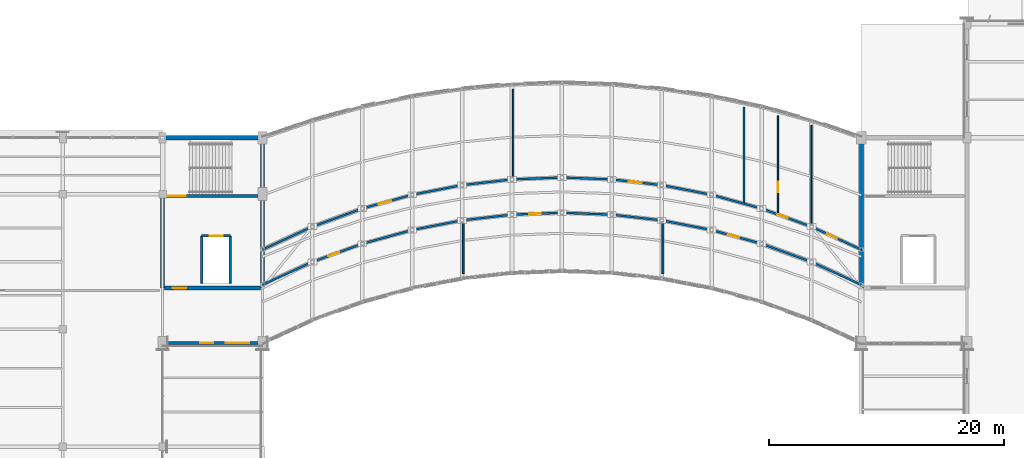
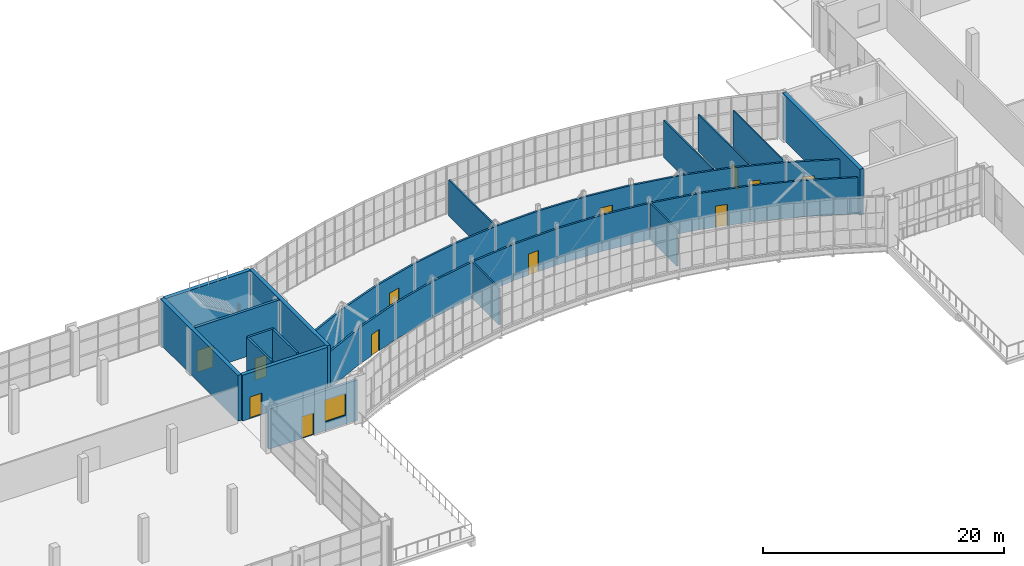
# One storey, part 70 of 86: 40 walls, 12 doors, 1 window, 13 openings.
"""IFC4 building model written with IfcOpenShell, lengths in metres."""

from ifc_helpers import new_model, si_unit, direction, frame, frame_2d, origin, place, context, subcontext, project, spatial, rectangle, extrude, material, layer, layer_set, type_object, element, fill, save


model = new_model("IFC4")

# Units and contexts
model_context = context("Model", 3, precision=1e-05, world=origin(), true_north=direction((0.0, 1.0)))
body_context = subcontext(model_context, "Body", "Model", "MODEL_VIEW")
ifc_project = project(units=[si_unit("LENGTHUNIT", "METRE"), si_unit("AREAUNIT", "SQUARE_METRE"), si_unit("VOLUMEUNIT", "CUBIC_METRE"), si_unit("PLANEANGLEUNIT", "RADIAN"), si_unit("MASSUNIT", "GRAM", prefix="KILO")], contexts=[model_context])

# Site, building, storey
site_placement = place(None, origin())
site = spatial("IfcSite", under=ifc_project, at=site_placement, CompositionType="ELEMENT")
building_placement = place(site_placement, origin())
building = spatial("IfcBuilding", under=site, at=building_placement, Name="Solvikara Media Centre", CompositionType="ELEMENT")
storey_placement = place(building_placement, frame((0.0, 0.0, 15.0)))
storey = spatial("IfcBuildingStorey", under=building, at=storey_placement, Name="L03", CompositionType="ELEMENT", Elevation=15.0)

# Walls
ifc_material_1 = material(Name="Concrete fc' 45 MPa (C45/55)", Category="concrete")
ifc_layer_1 = layer(ifc_material_1, 0.35009765625)
ifc_layer_set_1 = layer_set([ifc_layer_1], Name="Concrete fc' 45 MPa (C45/55)")
wall_type_1 = type_object("IfcWallType", Name="WT-03", PredefinedType="SHEAR", material=ifc_layer_set_1)
for number, where, z_axis, x_axis, name in (
    (1, (68.0, 24.0, 0.0), (0.0, 0.0, 1.0), (0.0, 1.0, 0.0), "CW-C3-L03-W"),
    (2, (76.5, 24.0, 0.0), (0.0, 0.0, 1.0), (0.0, 1.0, 0.0), "CW-C3-L03-E"),
):
    element("IfcWall", number, at=place(storey_placement, frame(where, z_axis=z_axis, x_axis=x_axis)), inside=storey, type_object=wall_type_1, Name=name, PredefinedType="SHEAR", context=body_context, shape_type="SweptSolid", body=[
        extrude(rectangle(XDim=12.800048828125, YDim=0.35009765625, at=frame_2d((6.39990234375, 0.0))), origin(), (0.0, 0.0, 1.0), 4.639892578125),
    ])
wall_1_placement = place(storey_placement, frame((68.175048828125, 36.800048828125, 0.0), z_axis=(0.0, 0.0, 1.0), x_axis=(1.0, 0.0, 0.0)))
element("IfcWall", 3, at=wall_1_placement, inside=storey, type_object=wall_type_1, Name="CW-C3-L03-N", PredefinedType="SHEAR", context=body_context, shape_type="SweptSolid", body=[
    extrude(rectangle(XDim=8.14990234375, YDim=0.35009765625, at=frame_2d((4.074951171875, 0.0))), origin(), (0.0, 0.0, 1.0), 4.639892578125),
])

# Wall, opening, door
wall_2_placement = place(storey_placement, frame((68.175048828125, 24.0, 0.0), z_axis=(0.0, 0.0, 1.0), x_axis=(1.0, 0.0, 0.0)))
wall_2 = element("IfcWall", 4, at=wall_2_placement, inside=storey, type_object=wall_type_1, Name="CW-C3-L03-S", PredefinedType="SHEAR", context=body_context, shape_type="SweptSolid", body=[
    extrude(rectangle(XDim=8.14990234375, YDim=0.35009765625, at=frame_2d((4.074951171875, 0.0))), origin(), (0.0, 0.0, 1.0), 4.639892578125),
])
opening_1_placement = place(wall_2_placement, frame((0.699951171875, 0.0, 0.0)))
opening_1 = element("IfcOpeningElement", 5, at=opening_1_placement, cuts=wall_2, Name="Opening D-C3-L03-LOB", PredefinedType="OPENING", context=body_context, shape_type="SweptSolid", body=[
    extrude(rectangle(XDim=1.14990234375, YDim=2.199951171875, at=frame_2d((0.574951171875, 1.10009765625))), frame((0.0, 0.18701171875, 0.0), z_axis=(0.0, -1.0, 0.0), x_axis=(1.0, 0.0, 0.0)), (0.0, 0.0, 1.0), 0.3740234375),
])
ifc_material_2 = material(Name="Insulated fire-rated steel door leaf", Category="steel")
door_type_1 = type_object("IfcDoorType", Name="DT-09", OperationType="NOTDEFINED", PredefinedType="DOOR", material=ifc_material_2)
door_1_placement = place(opening_1_placement, frame((1.14990234375, 0.0, 0.0), z_axis=(0.0, 0.0, 1.0), x_axis=(-1.0, 0.0, 0.0)))
door_1 = element("IfcDoor", 6, at=door_1_placement, inside=storey, type_object=door_type_1, Name="D-C3-L03-LOB", OperationType="SINGLE_SWING_RIGHT", OverallHeight=2.199951171875, OverallWidth=1.14990234375, PredefinedType="DOOR", context=body_context, shape_type="SweptSolid", body=[
    extrude(rectangle(XDim=1.14990234375, YDim=2.199951171875, at=frame_2d((0.574951171875, 1.10009765625))), frame((0.0, 0.02490234375, 0.0), z_axis=(0.0, -1.0, 0.0), x_axis=(1.0, 0.0, 0.0)), (0.0, 0.0, 1.0), 0.050048828125),
])
fill(opening_1, door_1)

# Wall
wall_3_placement = place(storey_placement, frame((127.5, 24.0, 0.0), z_axis=(0.0, 0.0, 1.0), x_axis=(0.0, 1.0, 0.0)))
element("IfcWall", 7, at=wall_3_placement, inside=storey, type_object=wall_type_1, Name="CW-C4-L03-W", PredefinedType="SHEAR", context=body_context, shape_type="SweptSolid", body=[
    extrude(rectangle(XDim=12.800048828125, YDim=0.35009765625, at=frame_2d((6.39990234375, 0.0))), origin(), (0.0, 0.0, 1.0), 4.639892578125),
])

# Wall, opening, door
ifc_layer_2 = layer(ifc_material_1, 0.25)
ifc_layer_set_2 = layer_set([ifc_layer_2], Name="Concrete fc' 45 MPa (C45/55)")
wall_type_2 = type_object("IfcWallType", Name="WT-07", PredefinedType="STANDARD", material=ifc_layer_set_2)
wall_4_placement = place(storey_placement, frame((68.25, 31.85009765625, 0.0), z_axis=(0.0, 0.0, 1.0), x_axis=(1.0, 0.0, 0.0)))
wall_4 = element("IfcWall", 8, at=wall_4_placement, inside=storey, type_object=wall_type_2, Name="CW-C3-L03-SD", PredefinedType="STANDARD", context=body_context, shape_type="SweptSolid", body=[
    extrude(rectangle(XDim=8.0, YDim=0.25, at=frame_2d((4.0, 0.0))), origin(), (0.0, 0.0, 1.0), 4.639892578125),
])
opening_2_placement = place(wall_4_placement, frame((0.199951171875, 0.0, 0.0)))
opening_2 = element("IfcOpeningElement", 9, at=opening_2_placement, cuts=wall_4, Name="Opening D-C3-L03-ST", PredefinedType="OPENING", context=body_context, shape_type="SweptSolid", body=[
    extrude(rectangle(XDim=1.5, YDim=2.199951171875, at=frame_2d((0.75, 1.10009765625))), frame((0.0, 0.136962890625, 0.0), z_axis=(0.0, -1.0, 0.0), x_axis=(1.0, 0.0, 0.0)), (0.0, 0.0, 1.0), 0.27392578125),
])
door_type_2 = type_object("IfcDoorType", Name="DT-08", OperationType="DOUBLE_DOOR_SINGLE_SWING", PredefinedType="DOOR", material=ifc_material_2)
door_2_placement = place(opening_2_placement, frame((1.5, 0.0, 0.0), z_axis=(0.0, 0.0, 1.0), x_axis=(-1.0, 0.0, 0.0)))
door_2 = element("IfcDoor", 10, at=door_2_placement, inside=storey, type_object=door_type_2, Name="D-C3-L03-ST", OperationType="DOUBLE_DOOR_SINGLE_SWING", OverallHeight=2.199951171875, OverallWidth=1.5, PredefinedType="DOOR", context=body_context, shape_type="SweptSolid", body=[
    extrude(rectangle(XDim=1.5, YDim=2.199951171875, at=frame_2d((0.75, 1.10009765625))), frame((0.0, 0.02490234375, 0.0), z_axis=(0.0, -1.0, 0.0), x_axis=(1.0, 0.0, 0.0)), (0.0, 0.0, 1.0), 0.050048828125),
])
fill(opening_2, door_2)

# Wall, openings, door, window
ifc_material_3 = material(Name="Precast concrete fc' 40 MPa (C40/50)", Category="concrete")
ifc_layer_3 = layer(ifc_material_3, 0.260009765625)
ifc_layer_set_3 = layer_set([ifc_layer_3], Name="Precast concrete fc' 40 MPa (C40/50)")
wall_type_3 = type_object("IfcWallType", Name="WT-12", PredefinedType="STANDARD", material=ifc_layer_set_3)
wall_5_placement = place(storey_placement, frame((68.0, 19.323974609375, 0.0), z_axis=(0.0, 0.0, 1.0), x_axis=(1.0, 0.0, 0.0)))
wall_5 = element("IfcWall", 11, at=wall_5_placement, inside=storey, type_object=wall_type_3, Name="EW-L03-BHW-S", PredefinedType="STANDARD", context=body_context, shape_type="SweptSolid", body=[
    extrude(rectangle(XDim=8.5, YDim=0.260009765625, at=frame_2d((4.25, 0.0))), origin(), (0.0, 0.0, 1.0), 4.068115234375),
])
opening_3_placement = place(wall_5_placement, frame((3.199951171875, 0.0, 0.0)))
opening_3 = element("IfcOpeningElement", 12, at=opening_3_placement, cuts=wall_5, Name="Opening TD-L03-V6S", PredefinedType="OPENING", context=body_context, shape_type="SweptSolid", body=[
    extrude(rectangle(XDim=1.10009765625, YDim=2.199951171875, at=frame_2d((0.550048828125, 1.10009765625))), frame((0.0, 0.14208984375, 0.0), z_axis=(0.0, -1.0, 0.0), x_axis=(1.0, 0.0, 0.0)), (0.0, 0.0, 1.0), 0.283935546875),
])
opening_4_placement = place(wall_5_placement, frame((5.375, 0.0, 0.89990234375)))
opening_4 = element("IfcOpeningElement", 13, at=opening_4_placement, cuts=wall_5, Name="Opening W-L03-BHWS-W02", PredefinedType="OPENING", context=body_context, shape_type="SweptSolid", body=[
    extrude(rectangle(XDim=2.0, YDim=2.199951171875, at=frame_2d((1.0, 1.10009765625))), frame((0.0, 0.14208984375, 0.0), z_axis=(0.0, -1.0, 0.0), x_axis=(1.0, 0.0, 0.0)), (0.0, 0.0, 1.0), 0.283935546875),
])
ifc_material_4 = material(Name="Anodised aluminium EN AW-6063", Category="aluminium")
door_type_3 = type_object("IfcDoorType", Name="DT-05", OperationType="NOTDEFINED", PredefinedType="DOOR", material=ifc_material_4)
door_3_placement = place(opening_3_placement, frame((1.10009765625, 0.0, 0.0), z_axis=(0.0, 0.0, 1.0), x_axis=(-1.0, 0.0, 0.0)))
door_3 = element("IfcDoor", 14, at=door_3_placement, inside=storey, type_object=door_type_3, Name="TD-L03-V6S", OperationType="SINGLE_SWING_LEFT", OverallHeight=2.199951171875, OverallWidth=1.10009765625, PredefinedType="DOOR", context=body_context, shape_type="SweptSolid", body=[
    extrude(rectangle(XDim=1.10009765625, YDim=2.199951171875, at=frame_2d((0.550048828125, 1.10009765625))), frame((0.0, 0.02490234375, 0.0), z_axis=(0.0, -1.0, 0.0), x_axis=(1.0, 0.0, 0.0)), (0.0, 0.0, 1.0), 0.050048828125),
])
fill(opening_3, door_3)
ifc_material_5 = material(Name="Double-glazed low-E architectural glass", Category="glass")
window_type = type_object("IfcWindowType", Name="WN-08", PartitioningType="SINGLE_PANEL", PredefinedType="WINDOW", material=ifc_material_5)
window_placement = place(opening_4_placement, origin())
window = element("IfcWindow", 15, at=window_placement, inside=storey, type_object=window_type, Name="W-L03-BHWS-W02", OverallHeight=2.199951171875, OverallWidth=2.0, PartitioningType="SINGLE_PANEL", PredefinedType="WINDOW", context=body_context, shape_type="SweptSolid", body=[
    extrude(rectangle(XDim=2.0, YDim=2.199951171875, at=frame_2d((1.0, 1.10009765625))), frame((0.0, 0.030029296875, 0.0), z_axis=(0.0, -1.0, 0.0), x_axis=(1.0, 0.0, 0.0)), (0.0, 0.0, 1.0), 0.06005859375),
])
fill(opening_4, window)

# Walls
ifc_material_6 = material(Name="Fire-rated gypsum and mineral-wool shaft wall assembly")
ifc_layer_4 = layer(ifc_material_6, 0.2099609375)
ifc_layer_set_4 = layer_set([ifc_layer_4], Name="Fire-rated gypsum and mineral-wool shaft wall assembly")
wall_type_4 = type_object("IfcWallType", Name="WT-17", PredefinedType="PARTITIONING", material=ifc_layer_set_4)
for number, where, z_axis, x_axis, name in (
    (16, (71.330078125, 24.39990234375, 0.0), (0.0, 0.0, 1.0), (0.0, 1.0, 0.0), "LW-LF-FF2-L03-W"),
    (17, (73.77001953125, 24.39990234375, 0.0), (0.0, 0.0, 1.0), (0.0, 1.0, 0.0), "LW-LF-FF2-L03-E"),
):
    element("IfcWall", number, at=place(storey_placement, frame(where, z_axis=z_axis, x_axis=x_axis)), inside=storey, type_object=wall_type_4, Name=name, PredefinedType="PARTITIONING", context=body_context, shape_type="SweptSolid", body=[
        extrude(rectangle(XDim=4.050048828125, YDim=0.2099609375, at=frame_2d((2.02490234375, 0.0))), origin(), (0.0, 0.0, 1.0), 4.639892578125),
    ])

# Wall, opening, door
wall_6_placement = place(storey_placement, frame((71.330078125, 28.449951171875, 0.0), z_axis=(0.0, 0.0, 1.0), x_axis=(1.0, 0.0, 0.0)))
wall_6 = element("IfcWall", 18, at=wall_6_placement, inside=storey, type_object=wall_type_4, Name="LW-LF-FF2-L03-N", PredefinedType="PARTITIONING", context=body_context, shape_type="SweptSolid", body=[
    extrude(rectangle(XDim=2.43994140625, YDim=0.2099609375, at=frame_2d((1.219970703125, 0.0))), origin(), (0.0, 0.0, 1.0), 4.639892578125),
])
opening_5_placement = place(wall_6_placement, frame((0.669921875, 0.0, 0.0)))
opening_5 = element("IfcOpeningElement", 19, at=opening_5_placement, cuts=wall_6, Name="Opening LD-LF-FF2-L03", PredefinedType="OPENING", context=body_context, shape_type="SweptSolid", body=[
    extrude(rectangle(XDim=1.10009765625, YDim=2.199951171875, at=frame_2d((0.550048828125, 1.10009765625))), frame((0.0, 0.116943359375, 0.0), z_axis=(0.0, -1.0, 0.0), x_axis=(1.0, 0.0, 0.0)), (0.0, 0.0, 1.0), 0.23388671875),
])
door_type_4 = type_object("IfcDoorType", Name="LD-01", OperationType="DOUBLE_DOOR_SLIDING", PredefinedType="DOOR", material=ifc_material_2)
door_4_placement = place(opening_5_placement, origin())
door_4 = element("IfcDoor", 20, at=door_4_placement, inside=storey, type_object=door_type_4, Name="LD-LF-FF2-L03", OperationType="DOUBLE_DOOR_SLIDING", OverallHeight=2.199951171875, OverallWidth=1.10009765625, PredefinedType="DOOR", context=body_context, shape_type="SweptSolid", body=[
    extrude(rectangle(XDim=1.10009765625, YDim=2.199951171875, at=frame_2d((0.550048828125, 1.10009765625))), frame((0.0, 0.02490234375, 0.0), z_axis=(0.0, -1.0, 0.0), x_axis=(1.0, 0.0, 0.0)), (0.0, 0.0, 1.0), 0.050048828125),
])
fill(opening_5, door_4)

# Walls
ifc_layer_5 = layer(ifc_material_6, 0.179931640625)
ifc_layer_set_5 = layer_set([ifc_layer_5], Name="Fire-rated gypsum and mineral-wool shaft wall assembly")
wall_type_5 = type_object("IfcWallType", Name="WT-18", PredefinedType="PARTITIONING", material=ifc_layer_set_5)
for number, where, z_axis, x_axis, name in (
    (21, (76.5, 24.27392578125, 0.0), (0.0, 0.0, 1.0), (0.908484112169, 0.417919391673, 0.0), "PW-L03-077"),
    (22, (76.5, 27.27392578125, 0.0), (0.0, 0.0, 1.0), (0.908484112169, 0.417919391673, 0.0), "PW-L03-078"),
):
    element("IfcWall", number, at=place(storey_placement, frame(where, z_axis=z_axis, x_axis=x_axis)), inside=storey, type_object=wall_type_5, Name=name, PredefinedType="PARTITIONING", context=body_context, shape_type="SweptSolid", body=[
        extrude(rectangle(XDim=4.67822265625, YDim=0.179931640625, at=frame_2d((2.339111328125, 0.0))), origin(), (0.0, 0.0, 1.0), 3.66796875),
    ])

# Wall, opening, door
wall_7_placement = place(storey_placement, frame((80.75, 26.22900390625, 0.0), z_axis=(0.0, 0.0, 1.0), x_axis=(0.939831249065, 0.341639024821, 0.0)))
wall_7 = element("IfcWall", 23, at=wall_7_placement, inside=storey, type_object=wall_type_5, Name="PW-L03-079", PredefinedType="PARTITIONING", context=body_context, shape_type="SweptSolid", body=[
    extrude(rectangle(XDim=4.52197265625, YDim=0.179931640625, at=frame_2d((2.260986328125, 0.0))), origin(), (0.0, 0.0, 1.0), 3.66796875),
])
opening_6_placement = place(wall_7_placement, frame((1.449951171875, 0.0, 0.0)))
opening_6 = element("IfcOpeningElement", 24, at=opening_6_placement, cuts=wall_7, Name="Opening D-L03-079-1", PredefinedType="OPENING", context=body_context, shape_type="SweptSolid", body=[
    extrude(rectangle(XDim=1.0, YDim=2.14990234375, at=frame_2d((0.5, 1.074951171875))), frame((0.0, 0.10205078125, 0.0), z_axis=(0.0, -1.0, 0.0), x_axis=(1.0, 0.0, 0.0)), (0.0, 0.0, 1.0), 0.203857421875),
])
ifc_material_7 = material(Name="Solid core acoustic hardwood timber", Category="wood")
door_type_5 = type_object("IfcDoorType", Name="DT-16", OperationType="NOTDEFINED", PredefinedType="DOOR", material=ifc_material_7)
door_5_placement = place(opening_6_placement, origin())
door_5 = element("IfcDoor", 25, at=door_5_placement, inside=storey, type_object=door_type_5, Name="D-L03-079-1", OperationType="SINGLE_SWING_LEFT", OverallHeight=2.14990234375, OverallWidth=1.0, PredefinedType="DOOR", context=body_context, shape_type="SweptSolid", body=[
    extrude(rectangle(XDim=1.0, YDim=2.14990234375, at=frame_2d((0.5, 1.074951171875))), frame((0.0, 0.02490234375, 0.0), z_axis=(0.0, -1.0, 0.0), x_axis=(1.0, 0.0, 0.0)), (0.0, 0.0, 1.0), 0.050048828125),
])
fill(opening_6, door_5)

# Walls
wall_8_placement = place(storey_placement, frame((80.75, 29.22900390625, 0.0), z_axis=(0.0, 0.0, 1.0), x_axis=(0.939831249065, 0.341639024821, 0.0)))
element("IfcWall", 26, at=wall_8_placement, inside=storey, type_object=wall_type_5, Name="PW-L03-080", PredefinedType="PARTITIONING", context=body_context, shape_type="SweptSolid", body=[
    extrude(rectangle(XDim=4.52197265625, YDim=0.179931640625, at=frame_2d((2.260986328125, 0.0))), origin(), (0.0, 0.0, 1.0), 3.66796875),
])
wall_9_placement = place(storey_placement, frame((85.0, 27.77392578125, 0.0), z_axis=(0.0, 0.0, 1.0), x_axis=(0.964009749544, 0.265866889221, 0.0)))
element("IfcWall", 27, at=wall_9_placement, inside=storey, type_object=wall_type_5, Name="PW-L03-081", PredefinedType="PARTITIONING", context=body_context, shape_type="SweptSolid", body=[
    extrude(rectangle(XDim=4.40869140625, YDim=0.179931640625, at=frame_2d((2.204345703125, 0.0))), origin(), (0.0, 0.0, 1.0), 3.66796875),
])

# Wall, opening, door
wall_10_placement = place(storey_placement, frame((85.0, 30.77392578125, 0.0), z_axis=(0.0, 0.0, 1.0), x_axis=(0.964009749544, 0.265866889221, 0.0)))
wall_10 = element("IfcWall", 28, at=wall_10_placement, inside=storey, type_object=wall_type_5, Name="PW-L03-082", PredefinedType="PARTITIONING", context=body_context, shape_type="SweptSolid", body=[
    extrude(rectangle(XDim=4.40869140625, YDim=0.179931640625, at=frame_2d((2.204345703125, 0.0))), origin(), (0.0, 0.0, 1.0), 3.66796875),
])
opening_7_placement = place(wall_10_placement, frame((1.449951171875, 0.0, 0.0)))
opening_7 = element("IfcOpeningElement", 29, at=opening_7_placement, cuts=wall_10, Name="Opening D-L03-082-1", PredefinedType="OPENING", context=body_context, shape_type="SweptSolid", body=[
    extrude(rectangle(XDim=1.10009765625, YDim=2.14990234375, at=frame_2d((0.550048828125, 1.074951171875))), frame((0.0, 0.10205078125, 0.0), z_axis=(0.0, -1.0, 0.0), x_axis=(1.0, 0.0, 0.0)), (0.0, 0.0, 1.0), 0.203857421875),
])
door_type_6 = type_object("IfcDoorType", Name="DT-19", OperationType="NOTDEFINED", PredefinedType="DOOR", material=ifc_material_7)
door_6_placement = place(opening_7_placement, origin())
door_6 = element("IfcDoor", 30, at=door_6_placement, inside=storey, type_object=door_type_6, Name="D-L03-082-1", OperationType="SINGLE_SWING_LEFT", OverallHeight=2.14990234375, OverallWidth=1.10009765625, PredefinedType="DOOR", context=body_context, shape_type="SweptSolid", body=[
    extrude(rectangle(XDim=1.10009765625, YDim=2.14990234375, at=frame_2d((0.550048828125, 1.074951171875))), frame((0.0, 0.02490234375, 0.0), z_axis=(0.0, -1.0, 0.0), x_axis=(1.0, 0.0, 0.0)), (0.0, 0.0, 1.0), 0.050048828125),
])
fill(opening_7, door_6)

# Walls
for number, where, z_axis, x_axis, name in (
    (31, (89.25, 28.946044921875, 0.0), (0.0, 0.0, 1.0), (0.981803941213, 0.189897396029, 0.0), "PW-L03-083"),
    (32, (89.25, 31.946044921875, 0.0), (0.0, 0.0, 1.0), (0.981803941213, 0.189897396029, 0.0), "PW-L03-084"),
):
    element("IfcWall", number, at=place(storey_placement, frame(where, z_axis=z_axis, x_axis=x_axis)), inside=storey, type_object=wall_type_5, Name=name, PredefinedType="PARTITIONING", context=body_context, shape_type="SweptSolid", body=[
        extrude(rectangle(XDim=4.328857421875, YDim=0.179931640625, at=frame_2d((2.16455078125, 0.0))), origin(), (0.0, 0.0, 1.0), 3.66796875),
    ])
for number, where, z_axis, x_axis, name in (
    (33, (93.5, 29.76806640625, 0.0), (0.0, 0.0, 1.0), (0.993503575407, 0.113800903571, 0.0), "PW-L03-085"),
    (34, (93.5, 32.76806640625, 0.0), (0.0, 0.0, 1.0), (0.993503575407, 0.113800903571, 0.0), "PW-L03-086"),
):
    element("IfcWall", number, at=place(storey_placement, frame(where, z_axis=z_axis, x_axis=x_axis)), inside=storey, type_object=wall_type_5, Name=name, PredefinedType="PARTITIONING", context=body_context, shape_type="SweptSolid", body=[
        extrude(rectangle(XDim=4.27783203125, YDim=0.179931640625, at=frame_2d((2.138916015625, 0.0))), origin(), (0.0, 0.0, 1.0), 3.66796875),
    ])

# Wall, opening, door
wall_11_placement = place(storey_placement, frame((97.75, 30.2548828125, 0.0), z_axis=(0.0, 0.0, 1.0), x_axis=(0.999273334025, 0.038115664855, 0.0)))
wall_11 = element("IfcWall", 35, at=wall_11_placement, inside=storey, type_object=wall_type_5, Name="PW-L03-087", PredefinedType="PARTITIONING", context=body_context, shape_type="SweptSolid", body=[
    extrude(rectangle(XDim=4.253173828125, YDim=0.179931640625, at=frame_2d((2.12646484375, 0.0))), origin(), (0.0, 0.0, 1.0), 3.66796875),
])
opening_8_placement = place(wall_11_placement, frame((1.449951171875, 0.0, 0.0)))
opening_8 = element("IfcOpeningElement", 36, at=opening_8_placement, cuts=wall_11, Name="Opening D-L03-087-1", PredefinedType="OPENING", context=body_context, shape_type="SweptSolid", body=[
    extrude(rectangle(XDim=1.0, YDim=2.14990234375, at=frame_2d((0.5, 1.074951171875))), frame((0.0, 0.10205078125, 0.0), z_axis=(0.0, -1.0, 0.0), x_axis=(1.0, 0.0, 0.0)), (0.0, 0.0, 1.0), 0.203857421875),
])
door_7_placement = place(opening_8_placement, origin())
door_7 = element("IfcDoor", 37, at=door_7_placement, inside=storey, type_object=door_type_5, Name="D-L03-087-1", OperationType="SINGLE_SWING_RIGHT", OverallHeight=2.14990234375, OverallWidth=1.0, PredefinedType="DOOR", context=body_context, shape_type="SweptSolid", body=[
    extrude(rectangle(XDim=1.0, YDim=2.14990234375, at=frame_2d((0.5, 1.074951171875))), frame((0.0, 0.02490234375, 0.0), z_axis=(0.0, -1.0, 0.0), x_axis=(1.0, 0.0, 0.0)), (0.0, 0.0, 1.0), 0.050048828125),
])
fill(opening_8, door_7)

# Walls
for number, where, z_axis, x_axis, name in (
    (38, (97.75, 33.2548828125, 0.0), (0.0, 0.0, 1.0), (0.999273334025, 0.038115664855, 0.0), "PW-L03-088"),
    (39, (102.0, 30.4169921875, 0.0), (0.0, 0.0, 1.0), (0.999273334025, -0.038115664855, 0.0), "PW-L03-089"),
    (40, (102.0, 33.4169921875, 0.0), (0.0, 0.0, 1.0), (0.999273334025, -0.038115664855, 0.0), "PW-L03-090"),
):
    element("IfcWall", number, at=place(storey_placement, frame(where, z_axis=z_axis, x_axis=x_axis)), inside=storey, type_object=wall_type_5, Name=name, PredefinedType="PARTITIONING", context=body_context, shape_type="SweptSolid", body=[
        extrude(rectangle(XDim=4.253173828125, YDim=0.179931640625, at=frame_2d((2.12646484375, 0.0))), origin(), (0.0, 0.0, 1.0), 3.66796875),
    ])
wall_12_placement = place(storey_placement, frame((106.25, 30.2548828125, 0.0), z_axis=(0.0, 0.0, 1.0), x_axis=(0.993503575407, -0.113800903571, 0.0)))
element("IfcWall", 41, at=wall_12_placement, inside=storey, type_object=wall_type_5, Name="PW-L03-091", PredefinedType="PARTITIONING", context=body_context, shape_type="SweptSolid", body=[
    extrude(rectangle(XDim=4.27783203125, YDim=0.179931640625, at=frame_2d((2.138916015625, 0.0))), origin(), (0.0, 0.0, 1.0), 3.66796875),
])

# Wall, opening, door
wall_13_placement = place(storey_placement, frame((106.25, 33.2548828125, 0.0), z_axis=(0.0, 0.0, 1.0), x_axis=(0.993503575407, -0.113800903571, 0.0)))
wall_13 = element("IfcWall", 42, at=wall_13_placement, inside=storey, type_object=wall_type_5, Name="PW-L03-092", PredefinedType="PARTITIONING", context=body_context, shape_type="SweptSolid", body=[
    extrude(rectangle(XDim=4.27783203125, YDim=0.179931640625, at=frame_2d((2.138916015625, 0.0))), origin(), (0.0, 0.0, 1.0), 3.66796875),
])
opening_9_placement = place(wall_13_placement, frame((1.449951171875, 0.0, 0.0)))
opening_9 = element("IfcOpeningElement", 43, at=opening_9_placement, cuts=wall_13, Name="Opening D-L03-092-1", PredefinedType="OPENING", context=body_context, shape_type="SweptSolid", body=[
    extrude(rectangle(XDim=1.10009765625, YDim=2.14990234375, at=frame_2d((0.550048828125, 1.074951171875))), frame((0.0, 0.10205078125, 0.0), z_axis=(0.0, -1.0, 0.0), x_axis=(1.0, 0.0, 0.0)), (0.0, 0.0, 1.0), 0.203857421875),
])
door_8_placement = place(opening_9_placement, origin())
door_8 = element("IfcDoor", 44, at=door_8_placement, inside=storey, type_object=door_type_6, Name="D-L03-092-1", OperationType="SINGLE_SWING_RIGHT", OverallHeight=2.14990234375, OverallWidth=1.10009765625, PredefinedType="DOOR", context=body_context, shape_type="SweptSolid", body=[
    extrude(rectangle(XDim=1.10009765625, YDim=2.14990234375, at=frame_2d((0.550048828125, 1.074951171875))), frame((0.0, 0.02490234375, 0.0), z_axis=(0.0, -1.0, 0.0), x_axis=(1.0, 0.0, 0.0)), (0.0, 0.0, 1.0), 0.050048828125),
])
fill(opening_9, door_8)

# Walls
for number, where, z_axis, x_axis, name in (
    (45, (110.5, 29.76806640625, 0.0), (0.0, 0.0, 1.0), (0.981803941213, -0.189897396029, 0.0), "PW-L03-093"),
    (46, (110.5, 32.76806640625, 0.0), (0.0, 0.0, 1.0), (0.981803941213, -0.189897396029, 0.0), "PW-L03-094"),
):
    element("IfcWall", number, at=place(storey_placement, frame(where, z_axis=z_axis, x_axis=x_axis)), inside=storey, type_object=wall_type_5, Name=name, PredefinedType="PARTITIONING", context=body_context, shape_type="SweptSolid", body=[
        extrude(rectangle(XDim=4.328857421875, YDim=0.179931640625, at=frame_2d((2.16455078125, 0.0))), origin(), (0.0, 0.0, 1.0), 3.66796875),
    ])

# Wall, opening, door
wall_14_placement = place(storey_placement, frame((114.75, 28.946044921875, 0.0), z_axis=(0.0, 0.0, 1.0), x_axis=(0.964009749544, -0.265866889221, 0.0)))
wall_14 = element("IfcWall", 47, at=wall_14_placement, inside=storey, type_object=wall_type_5, Name="PW-L03-095", PredefinedType="PARTITIONING", context=body_context, shape_type="SweptSolid", body=[
    extrude(rectangle(XDim=4.40869140625, YDim=0.179931640625, at=frame_2d((2.204345703125, 0.0))), origin(), (0.0, 0.0, 1.0), 3.66796875),
])
opening_10_placement = place(wall_14_placement, frame((1.449951171875, 0.0, 0.0)))
opening_10 = element("IfcOpeningElement", 48, at=opening_10_placement, cuts=wall_14, Name="Opening D-L03-095-1", PredefinedType="OPENING", context=body_context, shape_type="SweptSolid", body=[
    extrude(rectangle(XDim=1.0, YDim=2.14990234375, at=frame_2d((0.5, 1.074951171875))), frame((0.0, 0.10205078125, 0.0), z_axis=(0.0, -1.0, 0.0), x_axis=(1.0, 0.0, 0.0)), (0.0, 0.0, 1.0), 0.203857421875),
])
door_9_placement = place(opening_10_placement, origin())
door_9 = element("IfcDoor", 49, at=door_9_placement, inside=storey, type_object=door_type_5, Name="D-L03-095-1", OperationType="SINGLE_SWING_LEFT", OverallHeight=2.14990234375, OverallWidth=1.0, PredefinedType="DOOR", context=body_context, shape_type="SweptSolid", body=[
    extrude(rectangle(XDim=1.0, YDim=2.14990234375, at=frame_2d((0.5, 1.074951171875))), frame((0.0, 0.02490234375, 0.0), z_axis=(0.0, -1.0, 0.0), x_axis=(1.0, 0.0, 0.0)), (0.0, 0.0, 1.0), 0.050048828125),
])
fill(opening_10, door_9)

# Walls
wall_15_placement = place(storey_placement, frame((114.75, 31.946044921875, 0.0), z_axis=(0.0, 0.0, 1.0), x_axis=(0.964009749544, -0.265866889221, 0.0)))
element("IfcWall", 50, at=wall_15_placement, inside=storey, type_object=wall_type_5, Name="PW-L03-096", PredefinedType="PARTITIONING", context=body_context, shape_type="SweptSolid", body=[
    extrude(rectangle(XDim=4.40869140625, YDim=0.179931640625, at=frame_2d((2.204345703125, 0.0))), origin(), (0.0, 0.0, 1.0), 3.66796875),
])
wall_16_placement = place(storey_placement, frame((119.0, 27.77392578125, 0.0), z_axis=(0.0, 0.0, 1.0), x_axis=(0.939831249065, -0.341639024821, 0.0)))
element("IfcWall", 51, at=wall_16_placement, inside=storey, type_object=wall_type_5, Name="PW-L03-097", PredefinedType="PARTITIONING", context=body_context, shape_type="SweptSolid", body=[
    extrude(rectangle(XDim=4.52197265625, YDim=0.179931640625, at=frame_2d((2.260986328125, 0.0))), origin(), (0.0, 0.0, 1.0), 3.66796875),
])

# Wall, opening, door
wall_17_placement = place(storey_placement, frame((119.0, 30.77392578125, 0.0), z_axis=(0.0, 0.0, 1.0), x_axis=(0.939831249065, -0.341639024821, 0.0)))
wall_17 = element("IfcWall", 52, at=wall_17_placement, inside=storey, type_object=wall_type_5, Name="PW-L03-098", PredefinedType="PARTITIONING", context=body_context, shape_type="SweptSolid", body=[
    extrude(rectangle(XDim=4.52197265625, YDim=0.179931640625, at=frame_2d((2.260986328125, 0.0))), origin(), (0.0, 0.0, 1.0), 3.66796875),
])
opening_11_placement = place(wall_17_placement, frame((1.449951171875, 0.0, 0.0)))
opening_11 = element("IfcOpeningElement", 53, at=opening_11_placement, cuts=wall_17, Name="Opening D-L03-098-1", PredefinedType="OPENING", context=body_context, shape_type="SweptSolid", body=[
    extrude(rectangle(XDim=0.89990234375, YDim=2.14990234375, at=frame_2d((0.449951171875, 1.074951171875))), frame((0.0, 0.10205078125, 0.0), z_axis=(0.0, -1.0, 0.0), x_axis=(1.0, 0.0, 0.0)), (0.0, 0.0, 1.0), 0.203857421875),
])
door_type_7 = type_object("IfcDoorType", Name="DT-18", OperationType="NOTDEFINED", PredefinedType="DOOR", material=ifc_material_7)
door_10_placement = place(opening_11_placement, origin())
door_10 = element("IfcDoor", 54, at=door_10_placement, inside=storey, type_object=door_type_7, Name="D-L03-098-1", OperationType="SINGLE_SWING_LEFT", OverallHeight=2.14990234375, OverallWidth=0.89990234375, PredefinedType="DOOR", context=body_context, shape_type="SweptSolid", body=[
    extrude(rectangle(XDim=0.89990234375, YDim=2.14990234375, at=frame_2d((0.449951171875, 1.074951171875))), frame((0.0, 0.02490234375, 0.0), z_axis=(0.0, -1.0, 0.0), x_axis=(1.0, 0.0, 0.0)), (0.0, 0.0, 1.0), 0.050048828125),
])
fill(opening_11, door_10)

# Wall
wall_18_placement = place(storey_placement, frame((123.25, 26.22900390625, 0.0), z_axis=(0.0, 0.0, 1.0), x_axis=(0.908484112169, -0.417919391673, 0.0)))
element("IfcWall", 55, at=wall_18_placement, inside=storey, type_object=wall_type_5, Name="PW-L03-099", PredefinedType="PARTITIONING", context=body_context, shape_type="SweptSolid", body=[
    extrude(rectangle(XDim=4.67822265625, YDim=0.179931640625, at=frame_2d((2.339111328125, 0.0))), origin(), (0.0, 0.0, 1.0), 3.66796875),
])

# Wall, opening, door
wall_19_placement = place(storey_placement, frame((123.25, 29.22900390625, 0.0), z_axis=(0.0, 0.0, 1.0), x_axis=(0.908484112169, -0.417919391673, 0.0)))
wall_19 = element("IfcWall", 56, at=wall_19_placement, inside=storey, type_object=wall_type_5, Name="PW-L03-100", PredefinedType="PARTITIONING", context=body_context, shape_type="SweptSolid", body=[
    extrude(rectangle(XDim=4.67822265625, YDim=0.179931640625, at=frame_2d((2.339111328125, 0.0))), origin(), (0.0, 0.0, 1.0), 3.66796875),
])
opening_12_placement = place(wall_19_placement, frame((1.449951171875, 0.0, 0.0)))
opening_12 = element("IfcOpeningElement", 57, at=opening_12_placement, cuts=wall_19, Name="Opening D-L03-100-1", PredefinedType="OPENING", context=body_context, shape_type="SweptSolid", body=[
    extrude(rectangle(XDim=0.949951171875, YDim=2.14990234375, at=frame_2d((0.47509765625, 1.074951171875))), frame((0.0, 0.10205078125, 0.0), z_axis=(0.0, -1.0, 0.0), x_axis=(1.0, 0.0, 0.0)), (0.0, 0.0, 1.0), 0.203857421875),
])
door_type_8 = type_object("IfcDoorType", Name="DT-17", OperationType="NOTDEFINED", PredefinedType="DOOR", material=ifc_material_7)
door_11_placement = place(opening_12_placement, frame((0.949951171875, 0.0, 0.0), z_axis=(0.0, 0.0, 1.0), x_axis=(-1.0, 0.0, 0.0)))
door_11 = element("IfcDoor", 58, at=door_11_placement, inside=storey, type_object=door_type_8, Name="D-L03-100-1", OperationType="SINGLE_SWING_RIGHT", OverallHeight=2.14990234375, OverallWidth=0.949951171875, PredefinedType="DOOR", context=body_context, shape_type="SweptSolid", body=[
    extrude(rectangle(XDim=0.949951171875, YDim=2.14990234375, at=frame_2d((0.47509765625, 1.074951171875))), frame((0.0, 0.02490234375, 0.0), z_axis=(0.0, -1.0, 0.0), x_axis=(1.0, 0.0, 0.0)), (0.0, 0.0, 1.0), 0.050048828125),
])
fill(opening_12, door_11)

# Walls
ifc_material_8 = material(Name="Double-stud acoustic gypsum partition assembly")
ifc_layer_6 = layer(ifc_material_8, 0.159912109375)
ifc_layer_set_6 = layer_set([ifc_layer_6], Name="Double-stud acoustic gypsum partition assembly")
wall_type_6 = type_object("IfcWallType", Name="WT-19", PredefinedType="PARTITIONING", material=ifc_layer_set_6)
for number, where, z_axis, x_axis, name in (
    (59, (93.60009765625, 25.23291015625, 0.0), (0.0, 0.0, 1.0), (0.0, 1.0, 0.0), "PW-L03-101"),
    (60, (110.60009765625, 25.202880859375, 0.0), (0.0, 0.0, 1.0), (0.0, 1.0, 0.0), "PW-L03-102"),
):
    element("IfcWall", number, at=place(storey_placement, frame(where, z_axis=z_axis, x_axis=x_axis)), inside=storey, type_object=wall_type_6, Name=name, PredefinedType="PARTITIONING", context=body_context, shape_type="SweptSolid", body=[
        extrude(rectangle(XDim=4.5, YDim=0.159912109375, at=frame_2d((2.25, 0.0))), origin(), (0.0, 0.0, 1.0), 3.66796875),
    ])
ifc_layer_7 = layer(ifc_material_8, 0.139892578125)
ifc_layer_set_7 = layer_set([ifc_layer_7], Name="Double-stud acoustic gypsum partition assembly")
wall_type_7 = type_object("IfcWallType", Name="WT-20", PredefinedType="PARTITIONING", material=ifc_layer_set_7)
wall_20_placement = place(storey_placement, frame((97.85009765625, 33.31298828125, 0.0), z_axis=(0.0, 0.0, 1.0), x_axis=(0.0, 1.0, 0.0)))
element("IfcWall", 61, at=wall_20_placement, inside=storey, type_object=wall_type_7, Name="PW-L03-103", PredefinedType="PARTITIONING", context=body_context, shape_type="SweptSolid", body=[
    extrude(rectangle(XDim=7.634033203125, YDim=0.139892578125, at=frame_2d((3.81689453125, 0.0))), origin(), (0.0, 0.0, 1.0), 3.66796875),
])
wall_21_placement = place(storey_placement, frame((117.5, 31.279052734375, 0.0), z_axis=(0.0, 0.0, 1.0), x_axis=(0.0, 1.0, 0.0)))
element("IfcWall", 62, at=wall_21_placement, inside=storey, type_object=wall_type_7, Name="PW-L03-104", PredefinedType="PARTITIONING", context=body_context, shape_type="SweptSolid", body=[
    extrude(rectangle(XDim=8.099853515625, YDim=0.139892578125, at=frame_2d((4.0498046875, 0.0))), origin(), (0.0, 0.0, 1.0), 3.76806640625),
])

# Wall, opening, door
ifc_layer_8 = layer(ifc_material_8, 0.1201171875)
ifc_layer_set_8 = layer_set([ifc_layer_8], Name="Double-stud acoustic gypsum partition assembly")
wall_type_8 = type_object("IfcWallType", Name="WT-21", PredefinedType="PARTITIONING", material=ifc_layer_set_8)
wall_22_placement = place(storey_placement, frame((120.39990234375, 30.35791015625, 0.0), z_axis=(0.0, 0.0, 1.0), x_axis=(0.0, 1.0, 0.0)))
wall_22 = element("IfcWall", 63, at=wall_22_placement, inside=storey, type_object=wall_type_8, Name="PW-L03-105", PredefinedType="PARTITIONING", context=body_context, shape_type="SweptSolid", body=[
    extrude(rectangle(XDim=8.318115234375, YDim=0.1201171875, at=frame_2d((4.1591796875, 0.0))), origin(), (0.0, 0.0, 1.0), 3.76806640625),
])
opening_13_placement = place(wall_22_placement, frame((1.800048828125, 0.0, 0.0)))
opening_13 = element("IfcOpeningElement", 64, at=opening_13_placement, cuts=wall_22, Name="Opening D-L03-105-1", PredefinedType="OPENING", context=body_context, shape_type="SweptSolid", body=[
    extrude(rectangle(XDim=0.89990234375, YDim=2.14990234375, at=frame_2d((0.449951171875, 1.074951171875))), frame((0.0, 0.072021484375, 0.0), z_axis=(0.0, -1.0, 0.0), x_axis=(1.0, 0.0, 0.0)), (0.0, 0.0, 1.0), 0.14404296875),
])
door_12_placement = place(opening_13_placement, origin())
door_12 = element("IfcDoor", 65, at=door_12_placement, inside=storey, type_object=door_type_7, Name="D-L03-105-1", OperationType="SINGLE_SWING_LEFT", OverallHeight=2.14990234375, OverallWidth=0.89990234375, PredefinedType="DOOR", context=body_context, shape_type="SweptSolid", body=[
    extrude(rectangle(XDim=0.89990234375, YDim=2.14990234375, at=frame_2d((0.449951171875, 1.074951171875))), frame((0.0, 0.02490234375, 0.0), z_axis=(0.0, -1.0, 0.0), x_axis=(1.0, 0.0, 0.0)), (0.0, 0.0, 1.0), 0.050048828125),
])
fill(opening_13, door_12)

# Wall
wall_23_placement = place(storey_placement, frame((123.25, 29.279052734375, 0.0), z_axis=(0.0, 0.0, 1.0), x_axis=(0.0, 1.0, 0.0)))
element("IfcWall", 66, at=wall_23_placement, inside=storey, type_object=wall_type_8, Name="PW-L03-106", PredefinedType="PARTITIONING", context=body_context, shape_type="SweptSolid", body=[
    extrude(rectangle(XDim=8.5810546875, YDim=0.1201171875, at=frame_2d((4.29052734375, 0.0))), origin(), (0.0, 0.0, 1.0), 3.66796875),
])

save(model, "model.ifc")
